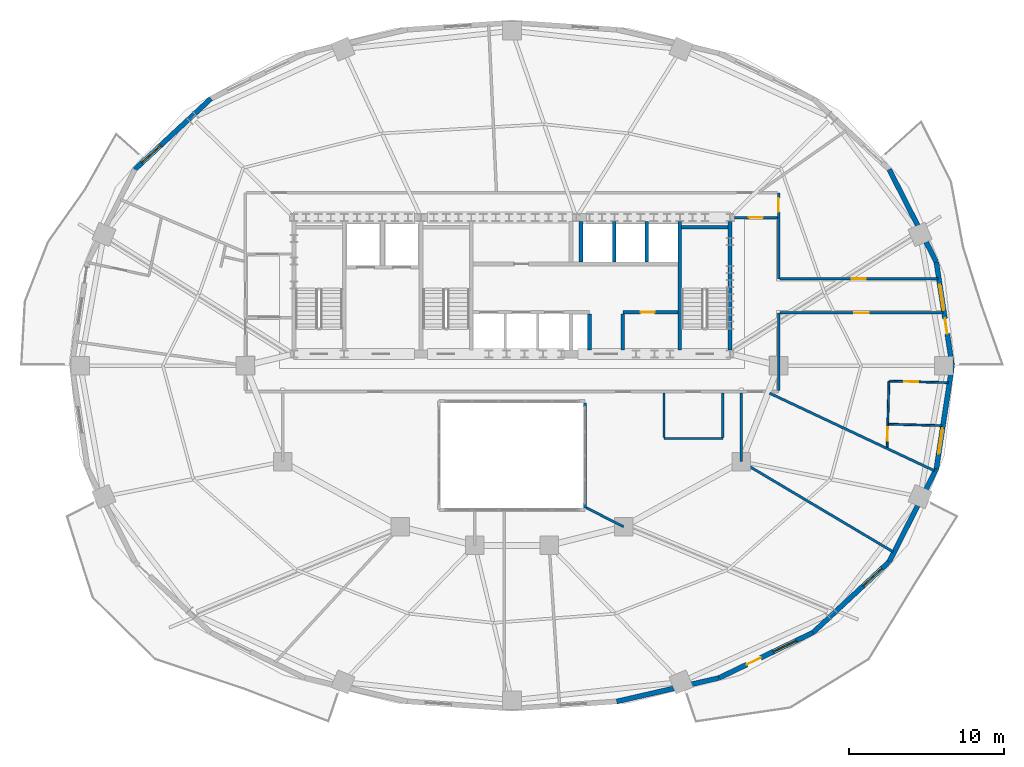
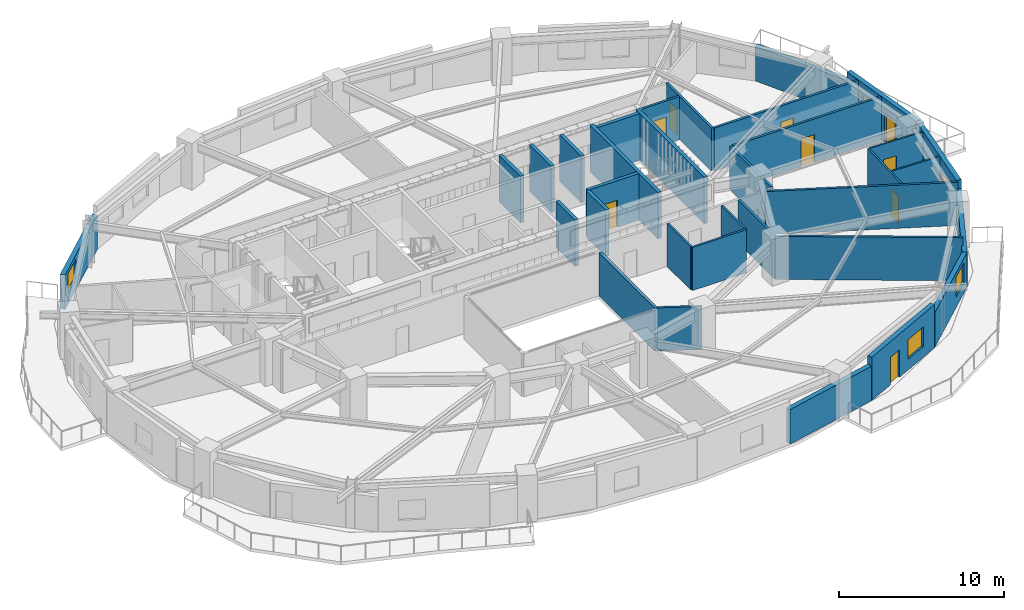
# One storey, part 8 of 13: 33 walls, 9 doors, 5 windows, 14 openings.
"""IFC4 building model written with IfcOpenShell, lengths in metres."""

from ifc_helpers import new_model, si_unit, direction, frame, frame_2d, origin, place, context, subcontext, project, spatial, rectangle, extrude, material, layer, layer_set, type_object, element, fill, save


model = new_model("IFC4")

# Units and contexts
model_context = context("Model", 3, precision=1e-05, world=origin(), true_north=direction((0.0, 1.0)))
body_context = subcontext(model_context, "Body", "Model", "MODEL_VIEW")
ifc_project = project(units=[si_unit("LENGTHUNIT", "METRE"), si_unit("AREAUNIT", "SQUARE_METRE"), si_unit("VOLUMEUNIT", "CUBIC_METRE"), si_unit("PLANEANGLEUNIT", "RADIAN"), si_unit("MASSUNIT", "GRAM", prefix="KILO")], contexts=[model_context])

# Site, building, storey
site_placement = place(None, origin())
site = spatial("IfcSite", under=ifc_project, at=site_placement, CompositionType="ELEMENT")
building_placement = place(site_placement, origin())
building = spatial("IfcBuilding", under=site, at=building_placement, Name="Haldorwick Loom Tower", CompositionType="ELEMENT")
storey_placement = place(building_placement, frame((0.0, 0.0, 120.800048828125)))
storey = spatial("IfcBuildingStorey", under=building, at=storey_placement, Name="L32", CompositionType="ELEMENT", Elevation=120.800048828125)

# Wall, openings, door, window
ifc_material_1 = material(Name="Pressed Clay Face Brick and Insulated Masonry Backup Assembly", Category="masonry")
ifc_layer_1 = layer(ifc_material_1, 0.320068359375, Name="Pressed Clay Face Brick and Insulated Masonry Backup Assembly", Category="masonry")
ifc_layer_set_1 = layer_set([ifc_layer_1], Name="Pressed Clay Face Brick and Insulated Masonry Backup Assembly")
wall_type_1 = type_object("IfcWallType", Name="ARC-WL-EXT320", PredefinedType="STANDARD", material=ifc_layer_set_1)
wall_1_placement = place(storey_placement, frame((64.397705078125, 26.0, 0.0), z_axis=(0.0, 0.0, 1.0), x_axis=(-0.150633288003, 0.988589708901, 0.0)))
wall_1 = element("IfcWall", 1, at=wall_1_placement, inside=storey, type_object=wall_type_1, Name="L32 Brick Pier and Spandrel Wall 1", PredefinedType="STANDARD", context=body_context, shape_type="SweptSolid", body=[
    extrude(rectangle(XDim=6.752197265625, YDim=0.320068359375, at=frame_2d((3.3759765625, 0.0))), origin(), (0.0, 0.0, 1.0), 3.2099609375),
])
opening_1_placement = place(wall_1_placement, frame((2.070556640625, 0.0, 0.0)))
opening_1 = element("IfcOpeningElement", 2, at=opening_1_placement, cuts=wall_1, Name="Opening D-BL10", PredefinedType="OPENING", context=body_context, shape_type="SweptSolid", body=[
    extrude(rectangle(XDim=1.0, YDim=2.0400390625, at=frame_2d((0.5, 1.02001953125))), frame((0.0, 0.169921875, 0.0), z_axis=(0.0, -1.0, 0.0), x_axis=(1.0, 0.0, 0.0)), (0.0, 0.0, 1.0), 0.340087890625),
])
opening_2_placement = place(wall_1_placement, frame((3.626708984375, 0.0, 0.800048828125)))
opening_2 = element("IfcOpeningElement", 3, at=opening_2_placement, cuts=wall_1, Name="Opening W-01B", PredefinedType="OPENING", context=body_context, shape_type="SweptSolid", body=[
    extrude(rectangle(XDim=1.64990234375, YDim=1.449951171875, at=frame_2d((0.824951171875, 0.72509765625))), frame((0.0, 0.169921875, 0.0), z_axis=(0.0, -1.0, 0.0), x_axis=(1.0, 0.0, 0.0)), (0.0, 0.0, 1.0), 0.340087890625),
])
ifc_material_2 = material(Name="Thermally Broken Anodized Aluminium Curtain Wall Framing", Category="aluminium")
door_type_1 = type_object("IfcDoorType", Name="ARC-DR-BAL100", OperationType="NOTDEFINED", PredefinedType="DOOR", material=ifc_material_2)
door_1_placement = place(opening_1_placement, origin())
door_1 = element("IfcDoor", 4, at=door_1_placement, inside=storey, type_object=door_type_1, Name="L32 Outdoor Terrace Door SLB-L32-BAL_ENE", OperationType="SINGLE_SWING_RIGHT", OverallHeight=2.0400390625, OverallWidth=1.0, PredefinedType="DOOR", context=body_context, shape_type="SweptSolid", body=[
    extrude(rectangle(XDim=1.0, YDim=2.0400390625, at=frame_2d((0.5, 1.02001953125))), frame((0.0, 0.02490234375, 0.0), z_axis=(0.0, -1.0, 0.0), x_axis=(1.0, 0.0, 0.0)), (0.0, 0.0, 1.0), 0.050048828125),
])
fill(opening_1, door_1)
ifc_material_3 = material(Name="Triple-Glazed Low-E Argon Insulated Glazing Unit", Category="glass")
window_type = type_object("IfcWindowType", Name="ARC-WIN-W165", PartitioningType="SINGLE_PANEL", PredefinedType="WINDOW", material=ifc_material_3)
window_1_placement = place(opening_2_placement, origin())
window_1 = element("IfcWindow", 5, at=window_1_placement, inside=storey, type_object=window_type, Name="L32 Deep-Set Zone 7A Window 1", OverallHeight=1.449951171875, OverallWidth=1.64990234375, PartitioningType="SINGLE_PANEL", PredefinedType="WINDOW", context=body_context, shape_type="SweptSolid", body=[
    extrude(rectangle(XDim=1.64990234375, YDim=1.449951171875, at=frame_2d((0.824951171875, 0.72509765625))), frame((0.0, 0.030029296875, 0.0), z_axis=(0.0, -1.0, 0.0), x_axis=(1.0, 0.0, 0.0)), (0.0, 0.0, 1.0), 0.06005859375),
])
fill(opening_2, window_1)

# Wall
wall_2_placement = place(storey_placement, frame((63.380615234375, 32.675048828125, 0.0), z_axis=(0.0, 0.0, 1.0), x_axis=(-0.453374078001, 0.89132033826, 0.0)))
element("IfcWall", 6, at=wall_2_placement, inside=storey, type_object=wall_type_1, Name="L32 Brick Pier and Spandrel Wall 2", PredefinedType="STANDARD", context=body_context, shape_type="SweptSolid", body=[
    extrude(rectangle(XDim=6.709716796875, YDim=0.320068359375, at=frame_2d((3.35498046875, 0.0))), origin(), (0.0, 0.0, 1.0), 2.56884765625),
])

# Wall, opening, window
wall_3_placement = place(storey_placement, frame((16.573486328125, 43.2255859375, 0.0), z_axis=(0.0, 0.0, 1.0), x_axis=(-0.732137360086, -0.681157020052, 0.0)))
wall_3 = element("IfcWall", 7, at=wall_3_placement, inside=storey, type_object=wall_type_1, Name="L32 Brick Pier and Spandrel Wall 10", PredefinedType="STANDARD", context=body_context, shape_type="SweptSolid", body=[
    extrude(rectangle(XDim=6.709228515625, YDim=0.320068359375, at=frame_2d((3.3544921875, 0.0))), origin(), (0.0, 0.0, 1.0), 2.56884765625),
])
opening_3_placement = place(wall_3_placement, frame((4.41943359375, 0.0, 0.800048828125)))
opening_3 = element("IfcOpeningElement", 8, at=opening_3_placement, cuts=wall_3, Name="Opening W-01B", PredefinedType="OPENING", context=body_context, shape_type="SweptSolid", body=[
    extrude(rectangle(XDim=1.64990234375, YDim=1.449951171875, at=frame_2d((0.824951171875, 0.72509765625))), frame((0.0, 0.169921875, 0.0), z_axis=(0.0, -1.0, 0.0), x_axis=(1.0, 0.0, 0.0)), (0.0, 0.0, 1.0), 0.340087890625),
])
window_2_placement = place(opening_3_placement, origin())
window_2 = element("IfcWindow", 9, at=window_2_placement, inside=storey, type_object=window_type, Name="L32 Deep-Set Zone 7A Window 10", OverallHeight=1.449951171875, OverallWidth=1.64990234375, PartitioningType="SINGLE_PANEL", PredefinedType="WINDOW", context=body_context, shape_type="SweptSolid", body=[
    extrude(rectangle(XDim=1.64990234375, YDim=1.449951171875, at=frame_2d((0.824951171875, 0.72509765625))), frame((0.0, 0.030029296875, 0.0), z_axis=(0.0, -1.0, 0.0), x_axis=(1.0, 0.0, 0.0)), (0.0, 0.0, 1.0), 0.06005859375),
])
fill(opening_3, window_2)

# Wall
wall_4_placement = place(storey_placement, frame((42.757080078125, 4.325439453125, 0.0), z_axis=(0.0, 0.0, 1.0), x_axis=(0.974584177714, 0.224021607329, 0.0)))
element("IfcWall", 10, at=wall_4_placement, inside=storey, type_object=wall_type_1, Name="L32 Brick Pier and Spandrel Wall 20", PredefinedType="STANDARD", context=body_context, shape_type="SweptSolid", body=[
    extrude(rectangle(XDim=6.767822265625, YDim=0.320068359375, at=frame_2d((3.3837890625, 0.0))), origin(), (0.0, 0.0, 1.0), 2.56884765625),
])

# Wall, openings, door, window
wall_5_placement = place(storey_placement, frame((49.352783203125, 5.841552734375, 0.0), z_axis=(0.0, 0.0, 1.0), x_axis=(0.900510094661, 0.434835106004, 0.0)))
wall_5 = element("IfcWall", 11, at=wall_5_placement, inside=storey, type_object=wall_type_1, Name="L32 Brick Pier and Spandrel Wall 21", PredefinedType="STANDARD", context=body_context, shape_type="SweptSolid", body=[
    extrude(rectangle(XDim=6.744873046875, YDim=0.320068359375, at=frame_2d((3.37255859375, 0.0))), origin(), (0.0, 0.0, 1.0), 3.2099609375),
])
opening_4_placement = place(wall_5_placement, frame((1.994873046875, 0.0, 0.0)))
opening_4 = element("IfcOpeningElement", 12, at=opening_4_placement, cuts=wall_5, Name="Opening D-BL10", PredefinedType="OPENING", context=body_context, shape_type="SweptSolid", body=[
    extrude(rectangle(XDim=1.0, YDim=2.0400390625, at=frame_2d((0.5, 1.02001953125))), frame((0.0, 0.169921875, 0.0), z_axis=(0.0, -1.0, 0.0), x_axis=(1.0, 0.0, 0.0)), (0.0, 0.0, 1.0), 0.340087890625),
])
opening_5_placement = place(wall_5_placement, frame((3.896484375, 0.0, 0.800048828125)))
opening_5 = element("IfcOpeningElement", 13, at=opening_5_placement, cuts=wall_5, Name="Opening W-01B", PredefinedType="OPENING", context=body_context, shape_type="SweptSolid", body=[
    extrude(rectangle(XDim=1.64990234375, YDim=1.449951171875, at=frame_2d((0.824951171875, 0.72509765625))), frame((0.0, 0.169921875, 0.0), z_axis=(0.0, -1.0, 0.0), x_axis=(1.0, 0.0, 0.0)), (0.0, 0.0, 1.0), 0.340087890625),
])
door_2_placement = place(opening_4_placement, origin())
door_2 = element("IfcDoor", 14, at=door_2_placement, inside=storey, type_object=door_type_1, Name="L32 Outdoor Terrace Door SLB-L32-BAL_SE", OperationType="SINGLE_SWING_RIGHT", OverallHeight=2.0400390625, OverallWidth=1.0, PredefinedType="DOOR", context=body_context, shape_type="SweptSolid", body=[
    extrude(rectangle(XDim=1.0, YDim=2.0400390625, at=frame_2d((0.5, 1.02001953125))), frame((0.0, 0.02490234375, 0.0), z_axis=(0.0, -1.0, 0.0), x_axis=(1.0, 0.0, 0.0)), (0.0, 0.0, 1.0), 0.050048828125),
])
fill(opening_4, door_2)
window_3_placement = place(opening_5_placement, origin())
window_3 = element("IfcWindow", 15, at=window_3_placement, inside=storey, type_object=window_type, Name="L32 Deep-Set Zone 7A Window 21", OverallHeight=1.449951171875, OverallWidth=1.64990234375, PartitioningType="SINGLE_PANEL", PredefinedType="WINDOW", context=body_context, shape_type="SweptSolid", body=[
    extrude(rectangle(XDim=1.64990234375, YDim=1.449951171875, at=frame_2d((0.824951171875, 0.72509765625))), frame((0.0, 0.030029296875, 0.0), z_axis=(0.0, -1.0, 0.0), x_axis=(1.0, 0.0, 0.0)), (0.0, 0.0, 1.0), 0.06005859375),
])
fill(opening_5, window_3)

# Wall, opening, window
wall_6_placement = place(storey_placement, frame((55.426513671875, 8.7744140625, 0.0), z_axis=(0.0, 0.0, 1.0), x_axis=(0.732137360086, 0.681157020052, 0.0)))
wall_6 = element("IfcWall", 16, at=wall_6_placement, inside=storey, type_object=wall_type_1, Name="L32 Brick Pier and Spandrel Wall 22", PredefinedType="STANDARD", context=body_context, shape_type="SweptSolid", body=[
    extrude(rectangle(XDim=6.709228515625, YDim=0.320068359375, at=frame_2d((3.3544921875, 0.0))), origin(), (0.0, 0.0, 1.0), 2.56884765625),
])
opening_6_placement = place(wall_6_placement, frame((4.41943359375, 0.0, 0.800048828125)))
opening_6 = element("IfcOpeningElement", 17, at=opening_6_placement, cuts=wall_6, Name="Opening W-01B", PredefinedType="OPENING", context=body_context, shape_type="SweptSolid", body=[
    extrude(rectangle(XDim=1.64990234375, YDim=1.449951171875, at=frame_2d((0.824951171875, 0.72509765625))), frame((0.0, 0.169921875, 0.0), z_axis=(0.0, -1.0, 0.0), x_axis=(1.0, 0.0, 0.0)), (0.0, 0.0, 1.0), 0.340087890625),
])
window_4_placement = place(opening_6_placement, origin())
window_4 = element("IfcWindow", 18, at=window_4_placement, inside=storey, type_object=window_type, Name="L32 Deep-Set Zone 7A Window 22", OverallHeight=1.449951171875, OverallWidth=1.64990234375, PartitioningType="SINGLE_PANEL", PredefinedType="WINDOW", context=body_context, shape_type="SweptSolid", body=[
    extrude(rectangle(XDim=1.64990234375, YDim=1.449951171875, at=frame_2d((0.824951171875, 0.72509765625))), frame((0.0, 0.030029296875, 0.0), z_axis=(0.0, -1.0, 0.0), x_axis=(1.0, 0.0, 0.0)), (0.0, 0.0, 1.0), 0.06005859375),
])
fill(opening_6, window_4)

# Wall
wall_7_placement = place(storey_placement, frame((60.338623046875, 13.344482421875, 0.0), z_axis=(0.0, 0.0, 1.0), x_axis=(0.453374078001, 0.89132033826, 0.0)))
element("IfcWall", 19, at=wall_7_placement, inside=storey, type_object=wall_type_1, Name="L32 Brick Pier and Spandrel Wall 23", PredefinedType="STANDARD", context=body_context, shape_type="SweptSolid", body=[
    extrude(rectangle(XDim=6.709716796875, YDim=0.320068359375, at=frame_2d((3.35498046875, 0.0))), origin(), (0.0, 0.0, 1.0), 2.56884765625),
])

# Wall, opening, window
wall_8_placement = place(storey_placement, frame((63.380615234375, 19.324951171875, 0.0), z_axis=(0.0, 0.0, 1.0), x_axis=(0.150633288003, 0.988589708901, 0.0)))
wall_8 = element("IfcWall", 20, at=wall_8_placement, inside=storey, type_object=wall_type_1, Name="L32 Brick Pier and Spandrel Wall 24", PredefinedType="STANDARD", context=body_context, shape_type="SweptSolid", body=[
    extrude(rectangle(XDim=6.752197265625, YDim=0.320068359375, at=frame_2d((3.3759765625, 0.0))), origin(), (0.0, 0.0, 1.0), 3.2099609375),
])
opening_7_placement = place(wall_8_placement, frame((0.997314453125, 0.0, 0.800048828125)))
opening_7 = element("IfcOpeningElement", 21, at=opening_7_placement, cuts=wall_8, Name="Opening W-01B", PredefinedType="OPENING", context=body_context, shape_type="SweptSolid", body=[
    extrude(rectangle(XDim=1.64990234375, YDim=1.449951171875, at=frame_2d((0.824951171875, 0.72509765625))), frame((0.0, 0.169921875, 0.0), z_axis=(0.0, -1.0, 0.0), x_axis=(1.0, 0.0, 0.0)), (0.0, 0.0, 1.0), 0.340087890625),
])
window_5_placement = place(opening_7_placement, origin())
window_5 = element("IfcWindow", 22, at=window_5_placement, inside=storey, type_object=window_type, Name="L32 Deep-Set Zone 7A Window 24", OverallHeight=1.449951171875, OverallWidth=1.64990234375, PartitioningType="SINGLE_PANEL", PredefinedType="WINDOW", context=body_context, shape_type="SweptSolid", body=[
    extrude(rectangle(XDim=1.64990234375, YDim=1.449951171875, at=frame_2d((0.824951171875, 0.72509765625))), frame((0.0, 0.030029296875, 0.0), z_axis=(0.0, -1.0, 0.0), x_axis=(1.0, 0.0, 0.0)), (0.0, 0.0, 1.0), 0.06005859375),
])
fill(opening_7, window_5)

# Wall
ifc_material_4 = material(Name="Fire-Rated Type X Gypsum Stud Assembly EI 60")
ifc_layer_2 = layer(ifc_material_4, 0.159912109375, Name="Fire-Rated Type X Gypsum Stud Assembly EI 60")
ifc_layer_set_2 = layer_set([ifc_layer_2], Name="Fire-Rated Type X Gypsum Stud Assembly EI 60")
wall_type_2 = type_object("IfcWallType", Name="ARC-WL-FIRE160", PredefinedType="PARTITIONING", material=ifc_layer_set_2)
wall_9_placement = place(storey_placement, frame((53.199951171875, 24.383056640625, 0.0), z_axis=(0.0, 0.0, 1.0), x_axis=(0.0, 1.0, 0.0)))
element("IfcWall", 23, at=wall_9_placement, inside=storey, type_object=wall_type_2, Name="L32 Residential Fire Partition L32-CR-E0A", PredefinedType="PARTITIONING", context=body_context, shape_type="SweptSolid", body=[
    extrude(rectangle(XDim=5.016845703125, YDim=0.159912109375, at=frame_2d((2.50830078125, 0.0))), origin(), (0.0, 0.0, 1.0), 3.195068359375),
])

# Wall, opening, door
wall_10_placement = place(storey_placement, frame((53.199951171875, 31.60009765625, 0.0), z_axis=(0.0, 0.0, 1.0), x_axis=(0.0, 1.0, 0.0)))
wall_10 = element("IfcWall", 24, at=wall_10_placement, inside=storey, type_object=wall_type_2, Name="L32 Residential Fire Partition L32-CR-E0B", PredefinedType="PARTITIONING", context=body_context, shape_type="SweptSolid", body=[
    extrude(rectangle(XDim=5.5498046875, YDim=0.159912109375, at=frame_2d((2.77490234375, 0.0))), origin(), (0.0, 0.0, 1.0), 3.195068359375),
])
opening_8_placement = place(wall_10_placement, frame((4.31005859375, 0.0, 0.0)))
opening_8 = element("IfcOpeningElement", 25, at=opening_8_placement, cuts=wall_10, Name="Opening D-FD60A", PredefinedType="OPENING", context=body_context, shape_type="SweptSolid", body=[
    extrude(rectangle(XDim=0.89990234375, YDim=2.0, at=frame_2d((0.449951171875, 1.0))), frame((0.0, 0.08984375, 0.0), z_axis=(0.0, -1.0, 0.0), x_axis=(1.0, 0.0, 0.0)), (0.0, 0.0, 1.0), 0.179931640625),
])
ifc_material_5 = material(Name="Hollow Steel Fire Door Assembly", Category="steel")
door_type_2 = type_object("IfcDoorType", Name="ARC-DR-FD60-90", OperationType="NOTDEFINED", PredefinedType="DOOR", material=ifc_material_5)
door_3_placement = place(opening_8_placement, origin())
door_3 = element("IfcDoor", 26, at=door_3_placement, inside=storey, type_object=door_type_2, Name="L32 L32 North Residential Corridor to Tenant Seminar Room 2 Door", OperationType="SINGLE_SWING_LEFT", OverallHeight=2.0, OverallWidth=0.89990234375, PredefinedType="DOOR", context=body_context, shape_type="SweptSolid", body=[
    extrude(rectangle(XDim=0.89990234375, YDim=2.0, at=frame_2d((0.449951171875, 1.0))), frame((0.0, 0.02490234375, 0.0), z_axis=(0.0, -1.0, 0.0), x_axis=(1.0, 0.0, 0.0)), (0.0, 0.0, 1.0), 0.050048828125),
])
fill(opening_8, door_3)

wall_11_placement = place(storey_placement, frame((53.282958984375, 29.39990234375, 0.0), z_axis=(0.0, 0.0, 1.0), x_axis=(1.0, 0.0, 0.0)))
wall_11 = element("IfcWall", 27, at=wall_11_placement, inside=storey, type_object=wall_type_2, Name="L32 Residential Fire Partition L32-CR-GE0", PredefinedType="PARTITIONING", context=body_context, shape_type="SweptSolid", body=[
    extrude(rectangle(XDim=10.53076171875, YDim=0.159912109375, at=frame_2d((5.265380859375, 0.0))), origin(), (0.0, 0.0, 1.0), 3.195068359375),
])
opening_9_placement = place(wall_11_placement, frame((4.790283203125, 0.0, 0.0)))
opening_9 = element("IfcOpeningElement", 28, at=opening_9_placement, cuts=wall_11, Name="Opening D-FL95", PredefinedType="OPENING", context=body_context, shape_type="SweptSolid", body=[
    extrude(rectangle(XDim=0.949951171875, YDim=2.0400390625, at=frame_2d((0.47509765625, 1.02001953125))), frame((0.0, 0.08984375, 0.0), z_axis=(0.0, -1.0, 0.0), x_axis=(1.0, 0.0, 0.0)), (0.0, 0.0, 1.0), 0.179931640625),
])
ifc_material_6 = material(Name="Solid Core Birch Architectural Door")
door_type_3 = type_object("IfcDoorType", Name="ARC-DR-FLAT95", OperationType="NOTDEFINED", PredefinedType="DOOR", material=ifc_material_6)
door_4_placement = place(opening_9_placement, origin())
door_4 = element("IfcDoor", 29, at=door_4_placement, inside=storey, type_object=door_type_3, Name="L32 L32 Central Residential Corridor to Unit 32A Kitchen and Living Room", OperationType="SINGLE_SWING_RIGHT", OverallHeight=2.0400390625, OverallWidth=0.949951171875, PredefinedType="DOOR", context=body_context, shape_type="SweptSolid", body=[
    extrude(rectangle(XDim=0.949951171875, YDim=2.0400390625, at=frame_2d((0.47509765625, 1.02001953125))), frame((0.0, 0.02490234375, 0.0), z_axis=(0.0, -1.0, 0.0), x_axis=(1.0, 0.0, 0.0)), (0.0, 0.0, 1.0), 0.050048828125),
])
fill(opening_9, door_4)

wall_12_placement = place(storey_placement, frame((53.282958984375, 31.60009765625, 0.0), z_axis=(0.0, 0.0, 1.0), x_axis=(1.0, 0.0, 0.0)))
wall_12 = element("IfcWall", 30, at=wall_12_placement, inside=storey, type_object=wall_type_2, Name="L32 Residential Fire Partition L32-CR-GE1", PredefinedType="PARTITIONING", context=body_context, shape_type="SweptSolid", body=[
    extrude(rectangle(XDim=10.195556640625, YDim=0.159912109375, at=frame_2d((5.09765625, 0.0))), origin(), (0.0, 0.0, 1.0), 3.195068359375),
])
opening_10_placement = place(wall_12_placement, frame((4.647705078125, 0.0, 0.0)))
opening_10 = element("IfcOpeningElement", 31, at=opening_10_placement, cuts=wall_12, Name="Opening D-FD60A", PredefinedType="OPENING", context=body_context, shape_type="SweptSolid", body=[
    extrude(rectangle(XDim=0.89990234375, YDim=2.0, at=frame_2d((0.449951171875, 1.0))), frame((0.0, 0.08984375, 0.0), z_axis=(0.0, -1.0, 0.0), x_axis=(1.0, 0.0, 0.0)), (0.0, 0.0, 1.0), 0.179931640625),
])
door_5_placement = place(opening_10_placement, frame((0.89990234375, 0.0, 0.0), z_axis=(0.0, 0.0, 1.0), x_axis=(-1.0, 0.0, 0.0)))
door_5 = element("IfcDoor", 32, at=door_5_placement, inside=storey, type_object=door_type_2, Name="L32 Tenant Seminar Room 2 to L32 Central Residential Corridor Door", OperationType="SINGLE_SWING_LEFT", OverallHeight=2.0, OverallWidth=0.89990234375, PredefinedType="DOOR", context=body_context, shape_type="SweptSolid", body=[
    extrude(rectangle(XDim=0.89990234375, YDim=2.0, at=frame_2d((0.449951171875, 1.0))), frame((0.0, 0.02490234375, 0.0), z_axis=(0.0, -1.0, 0.0), x_axis=(1.0, 0.0, 0.0)), (0.0, 0.0, 1.0), 0.050048828125),
])
fill(opening_10, door_5)

wall_13_placement = place(storey_placement, frame((50.35009765625, 35.550048828125, 0.0), z_axis=(0.0, 0.0, 1.0), x_axis=(1.0, 0.0, 0.0)))
wall_13 = element("IfcWall", 33, at=wall_13_placement, inside=storey, type_object=wall_type_2, Name="L32 Residential Fire Partition L32-CR-ENC", PredefinedType="PARTITIONING", context=body_context, shape_type="SweptSolid", body=[
    extrude(rectangle(XDim=2.766845703125, YDim=0.159912109375, at=frame_2d((1.38330078125, 0.0))), origin(), (0.0, 0.0, 1.0), 3.195068359375),
])
opening_11_placement = place(wall_13_placement, frame((0.93359375, 0.0, 0.0)))
opening_11 = element("IfcOpeningElement", 34, at=opening_11_placement, cuts=wall_13, Name="Opening D-FD60A", PredefinedType="OPENING", context=body_context, shape_type="SweptSolid", body=[
    extrude(rectangle(XDim=0.89990234375, YDim=2.0, at=frame_2d((0.449951171875, 1.0))), frame((0.0, 0.08984375, 0.0), z_axis=(0.0, -1.0, 0.0), x_axis=(1.0, 0.0, 0.0)), (0.0, 0.0, 1.0), 0.179931640625),
])
door_6_placement = place(opening_11_placement, origin())
door_6 = element("IfcDoor", 35, at=door_6_placement, inside=storey, type_object=door_type_2, Name="L32 L32 North Residential Corridor to L32 Central Residential Corridor D", OperationType="SINGLE_SWING_LEFT", OverallHeight=2.0, OverallWidth=0.89990234375, PredefinedType="DOOR", context=body_context, shape_type="SweptSolid", body=[
    extrude(rectangle(XDim=0.89990234375, YDim=2.0, at=frame_2d((0.449951171875, 1.0))), frame((0.0, 0.02490234375, 0.0), z_axis=(0.0, -1.0, 0.0), x_axis=(1.0, 0.0, 0.0)), (0.0, 0.0, 1.0), 0.050048828125),
])
fill(opening_11, door_6)

# Walls
wall_14_placement = place(storey_placement, frame((50.800048828125, 19.800048828125, 0.0), z_axis=(0.0, 0.0, 1.0), x_axis=(0.85958729712, -0.510988922218, 0.0)))
element("IfcWall", 36, at=wall_14_placement, inside=storey, type_object=wall_type_2, Name="L32 Residential Fire Partition L32-ICR-02", PredefinedType="PARTITIONING", context=body_context, shape_type="SweptSolid", body=[
    extrude(rectangle(XDim=11.388427734375, YDim=0.159912109375, at=frame_2d((5.6943359375, 0.0))), origin(), (0.0, 0.0, 1.0), 3.195068359375),
])
wall_15_placement = place(storey_placement, frame((50.800048828125, 24.217041015625, 0.0), z_axis=(0.0, 0.0, 1.0), x_axis=(0.0, -1.0, 0.0)))
element("IfcWall", 37, at=wall_15_placement, inside=storey, type_object=wall_type_2, Name="L32 Residential Fire Partition L32-ICA-01", PredefinedType="PARTITIONING", context=body_context, shape_type="SweptSolid", body=[
    extrude(rectangle(XDim=4.4169921875, YDim=0.159912109375, at=frame_2d((2.20849609375, 0.0))), origin(), (0.0, 0.0, 1.0), 3.195068359375),
])
wall_16_placement = place(storey_placement, frame((40.802978515625, 16.822021484375, 0.0), z_axis=(0.0, 0.0, 1.0), x_axis=(0.890915506237, -0.454169088278, 0.0)))
element("IfcWall", 38, at=wall_16_placement, inside=storey, type_object=wall_type_2, Name="L32 Residential Fire Partition L32-ICA-03", PredefinedType="PARTITIONING", context=body_context, shape_type="SweptSolid", body=[
    extrude(rectangle(XDim=2.6904296875, YDim=0.159912109375, at=frame_2d((1.34521484375, 0.0))), origin(), (0.0, 0.0, 1.0), 3.195068359375),
])
wall_17_placement = place(storey_placement, frame((63.251708984375, 19.215087890625, 0.0), z_axis=(0.0, 0.0, 1.0), x_axis=(-0.904814934117, 0.425805043417, 0.0)))
element("IfcWall", 39, at=wall_17_placement, inside=storey, type_object=wall_type_2, Name="L32 Suite Split Wall", PredefinedType="PARTITIONING", context=body_context, shape_type="SweptSolid", body=[
    extrude(rectangle(XDim=11.7470703125, YDim=0.159912109375, at=frame_2d((5.87353515625, 0.0))), origin(), (0.0, 0.0, 1.0), 3.195068359375),
])
ifc_material_7 = material(Name="Fire-Rated Type X Gypsum Stud Assembly EI 120")
ifc_layer_3 = layer(ifc_material_7, 0.199951171875, Name="Fire-Rated Type X Gypsum Stud Assembly EI 120")
ifc_layer_set_3 = layer_set([ifc_layer_3], Name="Fire-Rated Type X Gypsum Stud Assembly EI 120")
wall_type_3 = type_object("IfcWallType", Name="ARC-WL-FIRE200", PredefinedType="PARTITIONING", material=ifc_layer_set_3)
wall_18_placement = place(storey_placement, frame((40.699951171875, 23.596923828125, 0.0), z_axis=(0.0, 0.0, 1.0), x_axis=(0.0, -1.0, 0.0)))
element("IfcWall", 40, at=wall_18_placement, inside=storey, type_object=wall_type_3, Name="L32 Atrium Fire Enclosure Wall E", PredefinedType="PARTITIONING", context=body_context, shape_type="SweptSolid", body=[
    extrude(rectangle(XDim=6.7939453125, YDim=0.199951171875, at=frame_2d((3.39697265625, 0.0))), origin(), (0.0, 0.0, 1.0), 3.195068359375),
])

# Wall, opening, door
ifc_material_8 = material(Name="Acoustic Gypsum Stud Assembly STC 55")
ifc_layer_4 = layer(ifc_material_8, 0.1201171875, Name="Acoustic Gypsum Stud Assembly STC 55")
ifc_layer_set_4 = layer_set([ifc_layer_4], Name="Acoustic Gypsum Stud Assembly STC 55")
wall_type_4 = type_object("IfcWallType", Name="ARC-WL-PART120", PredefinedType="PARTITIONING", material=ifc_layer_set_4)
wall_19_placement = place(storey_placement, frame((60.20458984375, 20.74072265625, 0.0), z_axis=(0.0, 0.0, 1.0), x_axis=(0.027549271467, 0.999620446791, 0.0)))
wall_19 = element("IfcWall", 41, at=wall_19_placement, inside=storey, type_object=wall_type_4, Name="L32 Unit 32A Interior Partition", PredefinedType="PARTITIONING", context=body_context, shape_type="SweptSolid", body=[
    extrude(rectangle(XDim=4.2626953125, YDim=0.1201171875, at=frame_2d((2.13134765625, 0.0))), origin(), (0.0, 0.0, 1.0), 3.195068359375),
])
opening_12_placement = place(wall_19_placement, frame((0.401123046875, 0.0, 0.0)))
opening_12 = element("IfcOpeningElement", 42, at=opening_12_placement, cuts=wall_19, Name="Opening D-BT88", PredefinedType="OPENING", context=body_context, shape_type="SweptSolid", body=[
    extrude(rectangle(XDim=0.8798828125, YDim=2.02001953125, at=frame_2d((0.43994140625, 1.010009765625))), frame((0.0, 0.070068359375, 0.0), z_axis=(0.0, -1.0, 0.0), x_axis=(1.0, 0.0, 0.0)), (0.0, 0.0, 1.0), 0.14013671875),
])
door_type_4 = type_object("IfcDoorType", Name="ARC-DR-BATH88", OperationType="NOTDEFINED", PredefinedType="DOOR", material=ifc_material_6)
door_7_placement = place(opening_12_placement, origin())
door_7 = element("IfcDoor", 43, at=door_7_placement, inside=storey, type_object=door_type_4, Name="L32 Unit 32A Kitchen and Living Room to Unit 32A Bathroom Door", OperationType="SINGLE_SWING_RIGHT", OverallHeight=2.02001953125, OverallWidth=0.8798828125, PredefinedType="DOOR", context=body_context, shape_type="SweptSolid", body=[
    extrude(rectangle(XDim=0.8798828125, YDim=2.02001953125, at=frame_2d((0.43994140625, 1.010009765625))), frame((0.0, 0.02490234375, 0.0), z_axis=(0.0, -1.0, 0.0), x_axis=(1.0, 0.0, 0.0)), (0.0, 0.0, 1.0), 0.050048828125),
])
fill(opening_12, door_7)

wall_20_placement = place(storey_placement, frame((60.385009765625, 25.0, 0.0), z_axis=(0.0, 0.0, 1.0), x_axis=(0.999621410161, -0.027514293515, 0.0)))
wall_20 = element("IfcWall", 44, at=wall_20_placement, inside=storey, type_object=wall_type_4, Name="L32 Unit 32A Interior Partition", PredefinedType="PARTITIONING", context=body_context, shape_type="SweptSolid", body=[
    extrude(rectangle(XDim=3.780029296875, YDim=0.1201171875, at=frame_2d((1.89013671875, 0.0))), origin(), (0.0, 0.0, 1.0), 3.195068359375),
])
opening_13_placement = place(wall_20_placement, frame((0.9345703125, 0.0, 0.0)))
opening_13 = element("IfcOpeningElement", 45, at=opening_13_placement, cuts=wall_20, Name="Opening D-IN90", PredefinedType="OPENING", context=body_context, shape_type="SweptSolid", body=[
    extrude(rectangle(XDim=0.89990234375, YDim=2.0400390625, at=frame_2d((0.449951171875, 1.02001953125))), frame((0.0, 0.070068359375, 0.0), z_axis=(0.0, -1.0, 0.0), x_axis=(1.0, 0.0, 0.0)), (0.0, 0.0, 1.0), 0.14013671875),
])
door_type_5 = type_object("IfcDoorType", Name="ARC-DR-INT90", OperationType="NOTDEFINED", PredefinedType="DOOR", material=ifc_material_6)
door_8_placement = place(opening_13_placement, origin())
door_8 = element("IfcDoor", 46, at=door_8_placement, inside=storey, type_object=door_type_5, Name="L32 Unit 32A Kitchen and Living Room to Unit 32A Bedroom 1 Door", OperationType="SINGLE_SWING_RIGHT", OverallHeight=2.0400390625, OverallWidth=0.89990234375, PredefinedType="DOOR", context=body_context, shape_type="SweptSolid", body=[
    extrude(rectangle(XDim=0.89990234375, YDim=2.0400390625, at=frame_2d((0.449951171875, 1.02001953125))), frame((0.0, 0.02490234375, 0.0), z_axis=(0.0, -1.0, 0.0), x_axis=(1.0, 0.0, 0.0)), (0.0, 0.0, 1.0), 0.050048828125),
])
fill(opening_13, door_8)

# Walls
wall_21_placement = place(storey_placement, frame((60.308349609375, 22.219482421875, 0.0), z_axis=(0.0, 0.0, 1.0), x_axis=(0.999621512858, -0.027510562187, 0.0)))
element("IfcWall", 47, at=wall_21_placement, inside=storey, type_object=wall_type_4, Name="L32 Unit 32A Interior Partition", PredefinedType="PARTITIONING", context=body_context, shape_type="SweptSolid", body=[
    extrude(rectangle(XDim=3.434326171875, YDim=0.1201171875, at=frame_2d((1.71728515625, 0.0))), origin(), (0.0, 0.0, 1.0), 3.195068359375),
])
ifc_layer_5 = layer(ifc_material_4, 0.139892578125, Name="Fire-Rated Type X Gypsum Stud Assembly EI 60")
ifc_layer_set_5 = layer_set([ifc_layer_5], Name="Fire-Rated Type X Gypsum Stud Assembly EI 60")
wall_type_5 = type_object("IfcWallType", Name="ARC-WL-PART140", PredefinedType="PARTITIONING", material=ifc_layer_set_5)
wall_22_placement = place(storey_placement, frame((45.800048828125, 21.300048828125, 0.0), z_axis=(0.0, 0.0, 1.0), x_axis=(1.0, 0.0, 0.0)))
element("IfcWall", 48, at=wall_22_placement, inside=storey, type_object=wall_type_5, Name="L32 Residential Fire Partition L32-CWC-S", PredefinedType="PARTITIONING", context=body_context, shape_type="SweptSolid", body=[
    extrude(rectangle(XDim=3.800048828125, YDim=0.139892578125, at=frame_2d((1.89990234375, 0.0))), origin(), (0.0, 0.0, 1.0), 3.195068359375),
])
for number, where, z_axis, x_axis, name in (
    (49, (45.800048828125, 21.373046875, 0.0), (0.0, 0.0, 1.0), (0.0, 1.0, 0.0), "L32 Residential Fire Partition L32-CWC-W"),
    (50, (49.60009765625, 21.373046875, 0.0), (0.0, 0.0, 1.0), (0.0, 1.0, 0.0), "L32 Residential Fire Partition L32-CWC-E"),
):
    element("IfcWall", number, at=place(storey_placement, frame(where, z_axis=z_axis, x_axis=x_axis)), inside=storey, type_object=wall_type_5, Name=name, PredefinedType="PARTITIONING", context=body_context, shape_type="SweptSolid", body=[
        extrude(rectangle(XDim=2.843994140625, YDim=0.139892578125, at=frame_2d((1.421875, 0.0))), origin(), (0.0, 0.0, 1.0), 3.195068359375),
    ])
ifc_material_9 = material(Name="Concrete C50 (50 MPa)", Category="concrete")
ifc_layer_6 = layer(ifc_material_9, 0.239990234375, Name="Concrete C50 (50 MPa)", Category="concrete")
ifc_layer_set_6 = layer_set([ifc_layer_6], Name="Concrete C50 (50 MPa)")
wall_type_6 = type_object("IfcWallType", Name="STR-WL-SHAFT240", PredefinedType="SHEAR", material=ifc_layer_set_6)
for number, where, z_axis, x_axis, name in (
    (51, (50.070068359375, 27.0029296875, 0.0), (0.0, 0.0, 1.0), (0.0, 1.0, 0.0), "L32 Core Shear Wall E"),
    (52, (46.830078125, 27.0029296875, 0.0), (0.0, 0.0, 1.0), (0.0, 1.0, 0.0), "L32 Core Shear Wall 4"),
):
    element("IfcWall", number, at=place(storey_placement, frame(where, z_axis=z_axis, x_axis=x_axis)), inside=storey, type_object=wall_type_6, Name=name, PredefinedType="SHEAR", context=body_context, shape_type="SweptSolid", body=[
        extrude(rectangle(XDim=8.294189453125, YDim=0.239990234375, at=frame_2d((4.14697265625, 0.0))), origin(), (0.0, 0.0, 1.0), 3.449951171875),
    ])
wall_23_placement = place(storey_placement, frame((46.952880859375, 34.919921875, 0.0), z_axis=(0.0, 0.0, 1.0), x_axis=(1.0, 0.0, 0.0)))
element("IfcWall", 53, at=wall_23_placement, inside=storey, type_object=wall_type_6, Name="L32 Core Shear Wall 4N", PredefinedType="SHEAR", context=body_context, shape_type="SweptSolid", body=[
    extrude(rectangle(XDim=2.994140625, YDim=0.239990234375, at=frame_2d((1.4970703125, 0.0))), origin(), (0.0, 0.0, 1.0), 3.449951171875),
])

# Wall, opening, door
wall_24_placement = place(storey_placement, frame((43.14990234375, 29.449951171875, 0.0), z_axis=(0.0, 0.0, 1.0), x_axis=(1.0, 0.0, 0.0)))
wall_24 = element("IfcWall", 54, at=wall_24_placement, inside=storey, type_object=wall_type_6, Name="L32 Core Shear Wall LS2", PredefinedType="SHEAR", context=body_context, shape_type="SweptSolid", body=[
    extrude(rectangle(XDim=3.55712890625, YDim=0.239990234375, at=frame_2d((1.778564453125, 0.0))), origin(), (0.0, 0.0, 1.0), 3.449951171875),
])
opening_14_placement = place(wall_24_placement, frame((1.14990234375, 0.0, 0.0)))
opening_14 = element("IfcOpeningElement", 55, at=opening_14_placement, cuts=wall_24, Name="Opening D-FD60A", PredefinedType="OPENING", context=body_context, shape_type="SweptSolid", body=[
    extrude(rectangle(XDim=0.89990234375, YDim=2.0, at=frame_2d((0.449951171875, 1.0))), frame((0.0, 0.1298828125, 0.0), z_axis=(0.0, -1.0, 0.0), x_axis=(1.0, 0.0, 0.0)), (0.0, 0.0, 1.0), 0.260009765625),
])
door_9_placement = place(opening_14_placement, origin())
door_9 = element("IfcDoor", 56, at=door_9_placement, inside=storey, type_object=door_type_2, Name="L32 Electrical Metering Door", OperationType="SINGLE_SWING_LEFT", OverallHeight=2.0, OverallWidth=0.89990234375, PredefinedType="DOOR", context=body_context, shape_type="SweptSolid", body=[
    extrude(rectangle(XDim=0.89990234375, YDim=2.0, at=frame_2d((0.449951171875, 1.0))), frame((0.0, 0.02490234375, 0.0), z_axis=(0.0, -1.0, 0.0), x_axis=(1.0, 0.0, 0.0)), (0.0, 0.0, 1.0), 0.050048828125),
])
fill(opening_14, door_9)

# Walls
for number, where, z_axis, x_axis, name in (
    (57, (41.0, 27.0029296875, 0.0), (0.0, 0.0, 1.0), (0.0, 1.0, 0.0), "L32 Core Shear Wall THW"),
    (58, (43.14990234375, 27.0029296875, 0.0), (0.0, 0.0, 1.0), (0.0, 1.0, 0.0), "L32 Core Shear Wall THE"),
):
    element("IfcWall", number, at=place(storey_placement, frame(where, z_axis=z_axis, x_axis=x_axis)), inside=storey, type_object=wall_type_6, Name=name, PredefinedType="SHEAR", context=body_context, shape_type="SweptSolid", body=[
        extrude(rectangle(XDim=2.323974609375, YDim=0.239990234375, at=frame_2d((1.162109375, 0.0))), origin(), (0.0, 0.0, 1.0), 3.449951171875),
    ])
for number, where, z_axis, x_axis, name in (
    (59, (40.449951171875, 32.673095703125, 0.0), (0.0, 0.0, 1.0), (0.0, 1.0, 0.0), "L32 Core Shear Wall H0"),
    (60, (42.60009765625, 32.673095703125, 0.0), (0.0, 0.0, 1.0), (0.0, 1.0, 0.0), "L32 Core Shear Wall H1"),
    (61, (44.699951171875, 32.673095703125, 0.0), (0.0, 0.0, 1.0), (0.0, 1.0, 0.0), "L32 Core Shear Wall H2"),
):
    element("IfcWall", number, at=place(storey_placement, frame(where, z_axis=z_axis, x_axis=x_axis)), inside=storey, type_object=wall_type_6, Name=name, PredefinedType="SHEAR", context=body_context, shape_type="SweptSolid", body=[
        extrude(rectangle(XDim=2.6240234375, YDim=0.239990234375, at=frame_2d((1.31201171875, 0.0))), origin(), (0.0, 0.0, 1.0), 3.449951171875),
    ])

save(model, "model.ifc")
